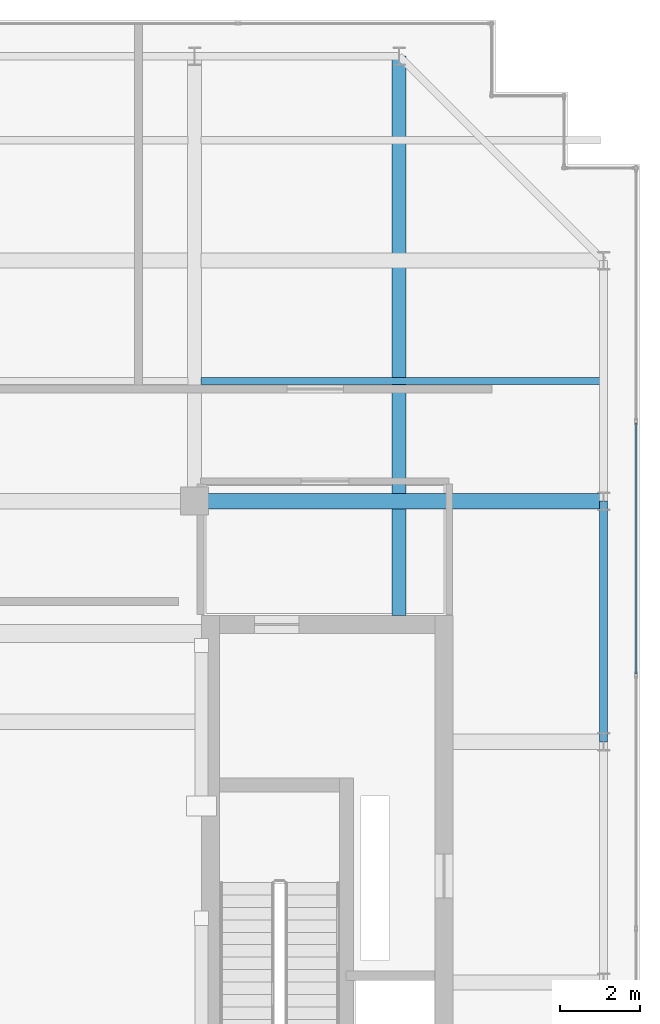
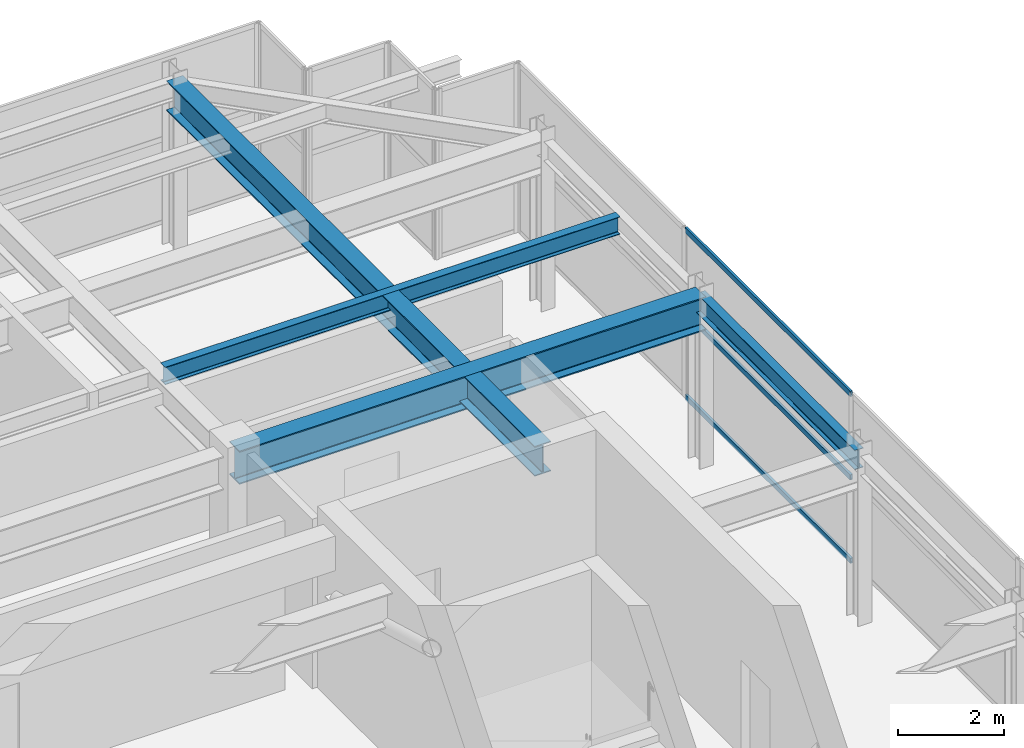
# One storey, part 18 of 32: 4 beams, 3 members, 1 element without a shape of its own.
"""IFC4 building model written with IfcOpenShell, lengths in metres."""

from ifc_helpers import new_model, si_unit, direction, frame, origin, origin_2d, place, context, subcontext, project, spatial, hollow_rectangle, i_section, extrude, source, transform, mapped, material, layer, layer_set, material_profile, profile_set, type_object, element, aggregate, save


model = new_model("IFC4")

# Units and contexts
model_context = context("Model", 3, precision=1e-05, world=origin(), true_north=direction((0.0, 1.0)))
body_context = subcontext(model_context, "Body", "Model", "MODEL_VIEW")
ifc_project = project(units=[si_unit("LENGTHUNIT", "METRE"), si_unit("AREAUNIT", "SQUARE_METRE"), si_unit("VOLUMEUNIT", "CUBIC_METRE"), si_unit("PLANEANGLEUNIT", "RADIAN"), si_unit("MASSUNIT", "GRAM", prefix="KILO")], contexts=[model_context])

# Site, building, storey
site_placement = place(None, origin())
site = spatial("IfcSite", under=ifc_project, at=site_placement, CompositionType="ELEMENT")
building_placement = place(site_placement, origin())
building = spatial("IfcBuilding", under=site, at=building_placement, Name="Khoralis Quay Care Tower", CompositionType="ELEMENT")
storey_placement = place(building_placement, frame((0.0, 0.0, 297.89990234375)))
storey = spatial("IfcBuildingStorey", under=building, at=storey_placement, Name="L78", CompositionType="ELEMENT", Elevation=297.89990234375)

# Beams
ifc_material_1 = material(Name="Steel S355", Category="steel")
ifc_material_profile_1 = material_profile(ifc_material_1, i_section(OverallWidth=0.18994140625, OverallDepth=0.449951171875, WebThickness=0.009521484375, FlangeThickness=0.0146484375, FilletRadius=0.02099609375, at=origin_2d()), Name="Steel S355")
ifc_profile_set_1 = profile_set([ifc_material_profile_1], Name="Steel S355")
beam_type_1 = type_object("IfcBeamType", Name="BM-IPE450", PredefinedType="SPANDREL", material=ifc_profile_set_1)
shared_shape_1 = source(origin(), body_context, "Body", "SweptSolid", [
    extrude(i_section(OverallWidth=0.18994140625, OverallDepth=0.449951171875, WebThickness=0.009521484375, FlangeThickness=0.0146484375, FilletRadius=0.02099609375, at=origin_2d()), origin(), (0.0, 0.0, 1.0), 6.0),
])
beam_1_placement = place(storey_placement, frame((41.10009765625, 24.0, 3.695068359375), z_axis=(0.0, 1.0, 0.0), x_axis=(-1.0, 0.0, 0.0)))
element("IfcBeam", 1, at=beam_1_placement, inside=storey, type_object=beam_type_1, Name="BM-TSP-L78-15", PredefinedType="SPANDREL", context=body_context, shape_type="MappedRepresentation", body=[
    mapped(shared_shape_1, transform((0.0, 0.0, 0.0), scale=1.0)),
])
ifc_material_profile_2 = material_profile(ifc_material_1, i_section(OverallWidth=0.381103515625, OverallDepth=0.77294921875, WebThickness=0.0166015625, FlangeThickness=0.027587890625, FilletRadius=0.02197265625, at=origin_2d()), Name="Steel S355")
ifc_profile_set_2 = profile_set([ifc_material_profile_2], Name="Steel S355")
beam_type_2 = type_object("IfcBeamType", Name="BM-W760X257", PredefinedType="BEAM", material=ifc_profile_set_2)
shared_shape_2 = source(origin(), body_context, "Body", "SweptSolid", [
    extrude(i_section(OverallWidth=0.381103515625, OverallDepth=0.77294921875, WebThickness=0.0166015625, FlangeThickness=0.027587890625, FilletRadius=0.02197265625, at=origin_2d()), origin(), (0.0, 0.0, 1.0), 10.2001953125),
])
beam_2_placement = place(storey_placement, frame((30.89990234375, 30.0, 3.53369140625), z_axis=(1.0, 0.0, 0.0), x_axis=(0.0, 1.0, 0.0)))
element("IfcBeam", 2, at=beam_2_placement, inside=storey, type_object=beam_type_2, Name="BM-TGXE-L78-300", PredefinedType="BEAM", context=body_context, shape_type="MappedRepresentation", body=[
    mapped(shared_shape_2, transform((0.0, 0.0, 0.0), scale=1.0)),
])
ifc_material_profile_3 = material_profile(ifc_material_1, i_section(OverallWidth=0.35498046875, OverallDepth=0.695068359375, WebThickness=0.015380859375, FlangeThickness=0.02490234375, FilletRadius=0.02001953125, at=origin_2d()), Name="Steel S355")
ifc_profile_set_3 = profile_set([ifc_material_profile_3], Name="Steel S355")
beam_type_3 = type_object("IfcBeamType", Name="BM-W690X217", PredefinedType="BEAM", material=ifc_profile_set_3)
shared_shape_3 = source(origin(), body_context, "Body", "SweptSolid", [
    extrude(i_section(OverallWidth=0.35498046875, OverallDepth=0.695068359375, WebThickness=0.015380859375, FlangeThickness=0.02490234375, FilletRadius=0.02001953125, at=origin_2d()), origin(), (0.0, 0.0, 1.0), 13.9521484375),
])
beam_3_placement = place(storey_placement, frame((36.0, 27.14794921875, 3.572509765625), z_axis=(0.0, 1.0, 0.0), x_axis=(-1.0, 0.0, 0.0)))
element("IfcBeam", 3, at=beam_3_placement, inside=storey, type_object=beam_type_3, Name="BM-TGYN-L78-360", PredefinedType="BEAM", context=body_context, shape_type="MappedRepresentation", body=[
    mapped(shared_shape_3, transform((0.0, 0.0, 0.0), scale=1.0)),
])
ifc_material_profile_4 = material_profile(ifc_material_1, i_section(OverallWidth=0.177978515625, OverallDepth=0.406982421875, WebThickness=0.0078125, FlangeThickness=0.0126953125, FilletRadius=0.012939453125, at=origin_2d()), Name="Steel S355")
ifc_profile_set_4 = profile_set([ifc_material_profile_4], Name="Steel S355")
beam_type_4 = type_object("IfcBeamType", Name="BM-W410X60", PredefinedType="JOIST", material=ifc_profile_set_4)
shared_shape_4 = source(origin(), body_context, "Body", "SweptSolid", [
    extrude(i_section(OverallWidth=0.177978515625, OverallDepth=0.406982421875, WebThickness=0.0078125, FlangeThickness=0.0126953125, FilletRadius=0.012939453125, at=origin_2d()), origin(), (0.0, 0.0, 1.0), 9.95361328125),
])
beam_4_placement = place(storey_placement, frame((31.0654296875, 33.0, 3.716552734375), z_axis=(1.0, 0.0, 0.0), x_axis=(0.0, 1.0, 0.0)))
element("IfcBeam", 4, at=beam_4_placement, inside=storey, type_object=beam_type_4, Name="BM-TJS-L78-25", PredefinedType="JOIST", context=body_context, shape_type="MappedRepresentation", body=[
    mapped(shared_shape_4, transform((0.0, 0.0, 0.0), scale=1.0)),
])

# Curtain wall, members
ifc_material_2 = material(Name="Pale anodised aluminium", Category="aluminium")
ifc_layer = layer(ifc_material_2, 0.199951171875)
ifc_layer_set = layer_set([ifc_layer], Name="Pale anodised aluminium")
curtain_wall_type = type_object("IfcCurtainWallType", Name="CW-SYS-LANTERN", PredefinedType="NOTDEFINED", material=ifc_layer_set)
curtain_wall_placement = place(storey_placement, origin())
curtain_wall = element("IfcCurtainWall", 5, at=curtain_wall_placement, inside=storey, type_object=curtain_wall_type, Name="L78 Unitised Curtain Wall CW-LN-L78-06", PredefinedType="NOTDEFINED")
ifc_material_profile_5 = material_profile(ifc_material_2, hollow_rectangle(XDim=0.054931640625, YDim=0.1201171875, WallThickness=0.00390625, at=origin_2d()), Name="Pale anodised aluminium")
ifc_profile_set_5 = profile_set([ifc_material_profile_5], Name="Pale anodised aluminium")
member_type = type_object("IfcMemberType", Name="CW-TRN-120", PredefinedType="USERDEFINED", material=ifc_profile_set_5)
shared_shape_5 = source(origin(), body_context, "Body", "SweptSolid", [
    extrude(hollow_rectangle(XDim=0.054931640625, YDim=0.1201171875, WallThickness=0.00390625, at=origin_2d()), origin(), (0.0, 0.0, 1.0), 6.26416015625),
])
member_1_placement = place(storey_placement, frame((41.909912109375, 25.69189453125, 0.030029296875), z_axis=(0.0, 1.0, 0.0), x_axis=(-1.0, 0.0, 0.0)))
member_1 = element("IfcMember", 6, at=member_1_placement, type_object=member_type, Name="CW5 transom 4.1", ObjectType="TRANSOM", PredefinedType="USERDEFINED", context=body_context, shape_type="MappedRepresentation", body=[
    mapped(shared_shape_5, transform((0.0, 0.0, 0.0), scale=1.0)),
])
member_2_placement = place(storey_placement, frame((41.909912109375, 25.69189453125, 1.960205078125), z_axis=(0.0, 1.0, 0.0), x_axis=(-1.0, 0.0, 0.0)))
member_2 = element("IfcMember", 7, at=member_2_placement, type_object=member_type, Name="CW5 transom 4.2", ObjectType="TRANSOM", PredefinedType="USERDEFINED", context=body_context, shape_type="MappedRepresentation", body=[
    mapped(shared_shape_5, transform((0.0, 0.0, 0.0), scale=1.0)),
])
member_3_placement = place(storey_placement, frame((41.909912109375, 25.69189453125, 3.89013671875), z_axis=(0.0, 1.0, 0.0), x_axis=(-1.0, 0.0, 0.0)))
member_3 = element("IfcMember", 8, at=member_3_placement, type_object=member_type, Name="CW5 transom 4.3", ObjectType="TRANSOM", PredefinedType="USERDEFINED", context=body_context, shape_type="MappedRepresentation", body=[
    mapped(shared_shape_5, transform((0.0, 0.0, 0.0), scale=1.0)),
])
aggregate(curtain_wall, [member_1, member_2, member_3])

save(model, "model.ifc")
